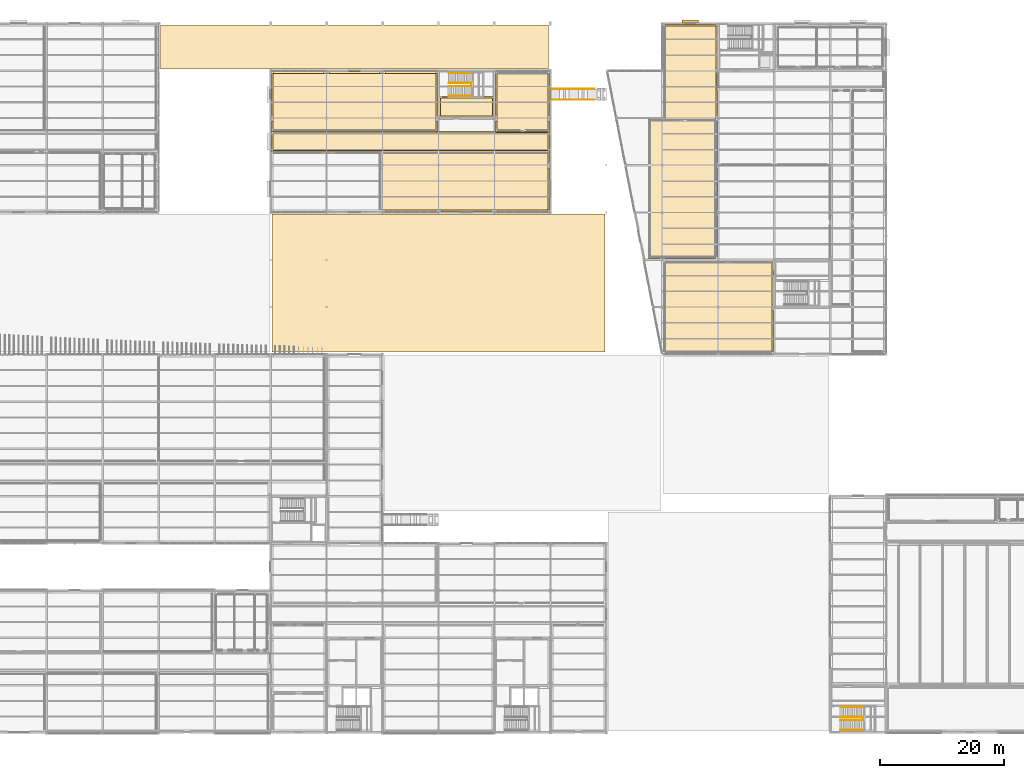
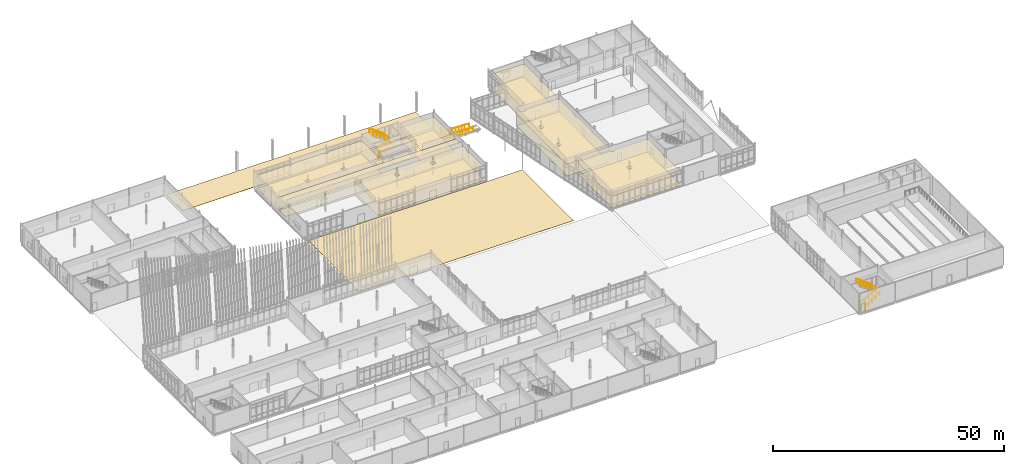
# One storey, part 158 of 161: 18 coverings, 8 railings, 1 shading device, 1 element without a shape of its own.
"""IFC4 building model written with IfcOpenShell, lengths in metres."""

from ifc_helpers import new_model, si_unit, direction, frame, origin, origin_2d, place, context, subcontext, project, spatial, polyline, rectangle, circle, outline, extrude, material, layer, layer_set, type_object, element, aggregate, save


model = new_model("IFC4")

# Units and contexts
model_context = context("Model", 3, precision=1e-05, world=origin(), true_north=direction((0.0, 1.0)))
body_context = subcontext(model_context, "Body", "Model", "MODEL_VIEW")
ifc_project = project(units=[si_unit("LENGTHUNIT", "METRE"), si_unit("AREAUNIT", "SQUARE_METRE"), si_unit("VOLUMEUNIT", "CUBIC_METRE"), si_unit("PLANEANGLEUNIT", "RADIAN"), si_unit("MASSUNIT", "GRAM", prefix="KILO")], contexts=[model_context])

# Site, building, storey
site_placement = place(None, origin())
site = spatial("IfcSite", under=ifc_project, at=site_placement, CompositionType="ELEMENT")
building_placement = place(site_placement, origin())
building = spatial("IfcBuilding", under=site, at=building_placement, Name="Caisbarro Railhouse Central Library", CompositionType="ELEMENT")
storey_placement = place(building_placement, origin())
storey = spatial("IfcBuildingStorey", under=building, at=storey_placement, Name="L00", CompositionType="ELEMENT", Elevation=0.0)

# Coverings
ifc_material_1 = material(Name="Perforated mineral-fibre acoustic ceiling tile")
ifc_layer_1 = layer(ifc_material_1, 0.01806640625, Name="Perforated mineral-fibre acoustic ceiling tile")
ifc_layer_set_1 = layer_set([ifc_layer_1], Name="Perforated mineral-fibre acoustic ceiling tile")
covering_type_1 = type_object("IfcCoveringType", Name="COV-CL01", PredefinedType="CEILING", material=ifc_layer_set_1)
covering_1_placement = place(storey_placement, frame((0.0, 0.0, 3.25)))
element("IfcCovering", 1, at=covering_1_placement, inside=storey, type_object=covering_type_1, Name="CL01 acoustic ceiling Stair Lobby K5", PredefinedType="CEILING", context=body_context, shape_type="SweptSolid", body=[
    extrude(outline(polyline([(89.9599609375, 102.260009765625), (89.9599609375, 99.239990234375), (89.56005859375, 99.239990234375), (89.56005859375, 98.889892578125), (81.43994140625, 98.889892578125), (81.43994140625, 99.239990234375), (81.0400390625, 99.239990234375), (81.0400390625, 102.260009765625), (89.9599609375, 102.260009765625)])), origin(), (0.0, 0.0, 1.0), 0.01806640625),
])
covering_2_placement = place(storey_placement, frame((0.0, 0.0, 3.25)))
element("IfcCovering", 2, at=covering_2_placement, inside=storey, type_object=covering_type_1, Name="CL01 acoustic ceiling North Pavilion Corridor", PredefinedType="CEILING", context=body_context, shape_type="SweptSolid", body=[
    extrude(outline(polyline([(54.139892578125, 93.340087890625), (54.139892578125, 96.659912109375), (98.860107421875, 96.659912109375), (98.860107421875, 93.340087890625), (54.139892578125, 93.340087890625)])), origin(), (0.0, 0.0, 1.0), 0.01806640625),
])
covering_3_placement = place(storey_placement, frame((0.0, 0.0, 3.25)))
element("IfcCovering", 3, at=covering_3_placement, inside=storey, type_object=covering_type_1, Name="CL01 acoustic ceiling Digital Maker Studio", PredefinedType="CEILING", context=body_context, shape_type="SweptSolid", body=[
    extrude(outline(polyline([(62.56005859375, 106.260009765625), (62.56005859375, 105.9599609375), (63.43994140625, 105.9599609375), (63.43994140625, 106.260009765625), (71.56005859375, 106.260009765625), (71.56005859375, 105.9599609375), (72.43994140625, 105.9599609375), (72.43994140625, 106.260009765625), (80.56005859375, 106.260009765625), (80.56005859375, 105.9599609375), (80.860107421875, 105.9599609375), (80.860107421875, 99.239990234375), (80.56005859375, 99.239990234375), (80.56005859375, 98.360107421875), (80.860107421875, 98.360107421875), (80.860107421875, 96.5400390625), (54.139892578125, 96.5400390625), (54.139892578125, 98.360107421875), (54.43994140625, 98.360107421875), (54.43994140625, 99.239990234375), (54.139892578125, 99.239990234375), (54.139892578125, 105.9599609375), (54.43994140625, 105.9599609375), (54.43994140625, 106.260009765625), (62.56005859375, 106.260009765625)]), holes=[polyline([(62.56005859375, 99.239990234375), (62.56005859375, 98.360107421875), (63.43994140625, 98.360107421875), (63.43994140625, 99.239990234375), (62.56005859375, 99.239990234375)]), polyline([(72.43994140625, 98.360107421875), (72.43994140625, 99.239990234375), (71.56005859375, 99.239990234375), (71.56005859375, 98.360107421875), (72.43994140625, 98.360107421875)])]), origin(), (0.0, 0.0, 1.0), 0.01806640625),
])
covering_4_placement = place(storey_placement, frame((0.0, 0.0, 3.25)))
element("IfcCovering", 4, at=covering_4_placement, inside=storey, type_object=covering_type_1, Name="CL01 acoustic ceiling Community Meeting Room", PredefinedType="CEILING", context=body_context, shape_type="SweptSolid", body=[
    extrude(outline(polyline([(90.139892578125, 99.239990234375), (90.139892578125, 105.9599609375), (90.43994140625, 105.9599609375), (90.43994140625, 106.260009765625), (98.56005859375, 106.260009765625), (98.56005859375, 105.9599609375), (98.860107421875, 105.9599609375), (98.860107421875, 99.239990234375), (98.56005859375, 99.239990234375), (98.56005859375, 98.360107421875), (98.860107421875, 98.360107421875), (98.860107421875, 96.5400390625), (90.139892578125, 96.5400390625), (90.139892578125, 98.360107421875), (90.43994140625, 98.360107421875), (90.43994140625, 99.239990234375), (90.139892578125, 99.239990234375)])), origin(), (0.0, 0.0, 1.0), 0.01806640625),
])
covering_5_placement = place(storey_placement, frame((0.0, 0.0, 3.25)))
element("IfcCovering", 5, at=covering_5_placement, inside=storey, type_object=covering_type_1, Name="CL01 acoustic ceiling Reference and Research Desk Hall", PredefinedType="CEILING", context=body_context, shape_type="SweptSolid", body=[
    extrude(outline(polyline([(117.43994140625, 61.239990234375), (117.139892578125, 61.239990234375), (117.139892578125, 67.9599609375), (117.43994140625, 67.9599609375), (117.43994140625, 68.840087890625), (117.139892578125, 68.840087890625), (117.139892578125, 75.56005859375), (117.43994140625, 75.56005859375), (117.43994140625, 75.860107421875), (125.56005859375, 75.860107421875), (125.56005859375, 75.56005859375), (126.43994140625, 75.56005859375), (126.43994140625, 75.860107421875), (134.56005859375, 75.860107421875), (134.56005859375, 75.56005859375), (134.860107421875, 75.56005859375), (134.860107421875, 68.840087890625), (134.56005859375, 68.840087890625), (134.56005859375, 67.9599609375), (134.860107421875, 67.9599609375), (134.860107421875, 61.239990234375), (134.56005859375, 61.239990234375), (134.56005859375, 60.93994140625), (126.43994140625, 60.93994140625), (126.43994140625, 61.239990234375), (125.56005859375, 61.239990234375), (125.56005859375, 60.93994140625), (117.43994140625, 60.93994140625), (117.43994140625, 61.239990234375)]), holes=[polyline([(126.43994140625, 68.840087890625), (125.56005859375, 68.840087890625), (125.56005859375, 67.9599609375), (126.43994140625, 67.9599609375), (126.43994140625, 68.840087890625)])]), origin(), (0.0, 0.0, 1.0), 0.01806640625),
])
covering_6_placement = place(storey_placement, frame((0.0, 0.0, 3.25)))
element("IfcCovering", 6, at=covering_6_placement, inside=storey, type_object=covering_type_1, Name="CL01 acoustic ceiling Group Study Seminar Suite L00", PredefinedType="CEILING", context=body_context, shape_type="SweptSolid", body=[
    extrude(outline(polyline([(117.139892578125, 99.239990234375), (117.139892578125, 105.9599609375), (117.43994140625, 105.9599609375), (117.43994140625, 106.840087890625), (117.139892578125, 106.840087890625), (117.139892578125, 113.56005859375), (117.43994140625, 113.56005859375), (117.43994140625, 113.860107421875), (125.56005859375, 113.860107421875), (125.56005859375, 113.56005859375), (125.860107421875, 113.56005859375), (125.860107421875, 106.840087890625), (125.56005859375, 106.840087890625), (125.56005859375, 105.9599609375), (125.860107421875, 105.9599609375), (125.860107421875, 99.239990234375), (125.56005859375, 99.239990234375), (125.56005859375, 98.5400390625), (117.43994140625, 98.5400390625), (117.43994140625, 99.239990234375), (117.139892578125, 99.239990234375)])), origin(), (0.0, 0.0, 1.0), 0.01806640625),
])
ifc_material_2 = material(Name="Slatted acoustic timber baffle ceiling", Category="wood")
ifc_layer_2 = layer(ifc_material_2, 0.031982421875, Name="Slatted acoustic timber baffle ceiling")
ifc_layer_set_2 = layer_set([ifc_layer_2], Name="Slatted acoustic timber baffle ceiling")
covering_type_2 = type_object("IfcCoveringType", Name="COV-CL02", PredefinedType="CEILING", material=ifc_layer_set_2)
covering_7_placement = place(storey_placement, frame((0.0, 0.0, 3.25)))
element("IfcCovering", 7, at=covering_7_placement, inside=storey, type_object=covering_type_2, Name="CL02 acoustic ceiling Civic Lecture Hall", PredefinedType="CEILING", context=body_context, shape_type="SweptSolid", body=[
    extrude(outline(polyline([(72.43994140625, 83.739990234375), (72.43994140625, 84.0400390625), (71.739990234375, 84.0400390625), (71.739990234375, 90.760009765625), (72.43994140625, 90.760009765625), (72.43994140625, 91.639892578125), (71.739990234375, 91.639892578125), (71.739990234375, 93.4599609375), (98.860107421875, 93.4599609375), (98.860107421875, 91.639892578125), (98.56005859375, 91.639892578125), (98.56005859375, 90.760009765625), (98.860107421875, 90.760009765625), (98.860107421875, 84.0400390625), (98.56005859375, 84.0400390625), (98.56005859375, 83.739990234375), (90.43994140625, 83.739990234375), (90.43994140625, 84.0400390625), (89.56005859375, 84.0400390625), (89.56005859375, 83.739990234375), (81.43994140625, 83.739990234375), (81.43994140625, 84.0400390625), (80.56005859375, 84.0400390625), (80.56005859375, 83.739990234375), (72.43994140625, 83.739990234375)]), holes=[polyline([(81.43994140625, 91.639892578125), (80.56005859375, 91.639892578125), (80.56005859375, 90.760009765625), (81.43994140625, 90.760009765625), (81.43994140625, 91.639892578125)]), polyline([(89.56005859375, 90.760009765625), (90.43994140625, 90.760009765625), (90.43994140625, 91.639892578125), (89.56005859375, 91.639892578125), (89.56005859375, 90.760009765625)])]), origin(), (0.0, 0.0, 1.0), 0.031982421875),
])
covering_8_placement = place(storey_placement, frame((0.0, 0.0, 3.25)))
element("IfcCovering", 8, at=covering_8_placement, inside=storey, type_object=covering_type_2, Name="CL02 acoustic ceiling Pernambuco Local History Reading Room", PredefinedType="CEILING", context=body_context, shape_type="SweptSolid", body=[
    extrude(outline(polyline([(114.739990234375, 76.139892578125), (114.739990234375, 98.659912109375), (116.56005859375, 98.659912109375), (116.56005859375, 98.360107421875), (117.43994140625, 98.360107421875), (117.43994140625, 98.659912109375), (125.56005859375, 98.659912109375), (125.56005859375, 98.360107421875), (125.860107421875, 98.360107421875), (125.860107421875, 91.639892578125), (125.56005859375, 91.639892578125), (125.56005859375, 90.760009765625), (125.860107421875, 90.760009765625), (125.860107421875, 84.0400390625), (125.56005859375, 84.0400390625), (125.56005859375, 83.159912109375), (125.860107421875, 83.159912109375), (125.860107421875, 76.43994140625), (125.56005859375, 76.43994140625), (125.56005859375, 76.139892578125), (117.43994140625, 76.139892578125), (117.43994140625, 76.43994140625), (116.56005859375, 76.43994140625), (116.56005859375, 76.139892578125), (114.739990234375, 76.139892578125)]), holes=[polyline([(116.56005859375, 83.159912109375), (117.43994140625, 83.159912109375), (117.43994140625, 84.0400390625), (116.56005859375, 84.0400390625), (116.56005859375, 83.159912109375)]), polyline([(116.56005859375, 91.639892578125), (116.56005859375, 90.760009765625), (117.43994140625, 90.760009765625), (117.43994140625, 91.639892578125), (116.56005859375, 91.639892578125)])]), origin(), (0.0, 0.0, 1.0), 0.031982421875),
])
ifc_material_3 = material(Name="Polished cementitious terrazzo flooring")
ifc_layer_3 = layer(ifc_material_3, 0.02197265625, Name="Polished cementitious terrazzo flooring")
ifc_layer_set_3 = layer_set([ifc_layer_3], Name="Polished cementitious terrazzo flooring")
covering_type_3 = type_object("IfcCoveringType", Name="COV-FL01", PredefinedType="FLOORING", material=ifc_layer_set_3)
covering_9_placement = place(storey_placement, origin())
element("IfcCovering", 9, at=covering_9_placement, inside=storey, type_object=covering_type_3, Name="FL01 flooring Stair Lobby K5", PredefinedType="FLOORING", context=body_context, shape_type="SweptSolid", body=[
    extrude(outline(polyline([(81.300048828125, 99.14990234375), (89.699951171875, 99.14990234375), (89.699951171875, 102.0), (81.300048828125, 102.0), (81.300048828125, 99.14990234375)])), origin(), (0.0, 0.0, 1.0), 0.02197265625),
])
covering_10_placement = place(storey_placement, origin())
element("IfcCovering", 10, at=covering_10_placement, inside=storey, type_object=covering_type_3, Name="FL01 flooring North Pavilion Corridor", PredefinedType="FLOORING", context=body_context, shape_type="SweptSolid", body=[
    extrude(outline(polyline([(54.39990234375, 93.60009765625), (98.60009765625, 93.60009765625), (98.60009765625, 96.39990234375), (54.39990234375, 96.39990234375), (54.39990234375, 93.60009765625)])), origin(), (0.0, 0.0, 1.0), 0.02197265625),
])
covering_11_placement = place(storey_placement, origin())
element("IfcCovering", 11, at=covering_11_placement, inside=storey, type_object=covering_type_3, Name="FL01 flooring Civic Lecture Hall", PredefinedType="FLOORING", context=body_context, shape_type="SweptSolid", body=[
    extrude(outline(polyline([(72.0, 84.0), (98.60009765625, 84.0), (98.60009765625, 93.199951171875), (72.0, 93.199951171875), (72.0, 84.0)])), origin(), (0.0, 0.0, 1.0), 0.02197265625),
])
covering_12_placement = place(storey_placement, origin())
element("IfcCovering", 12, at=covering_12_placement, inside=storey, type_object=covering_type_3, Name="FL01 flooring Reference and Research Desk Hall", PredefinedType="FLOORING", context=body_context, shape_type="SweptSolid", body=[
    extrude(outline(polyline([(117.39990234375, 61.199951171875), (134.60009765625, 61.199951171875), (134.60009765625, 75.60009765625), (117.39990234375, 75.60009765625), (117.39990234375, 61.199951171875)])), origin(), (0.0, 0.0, 1.0), 0.02197265625),
])
ifc_material_4 = material(Name="Heavy-duty acoustic linoleum flooring")
ifc_layer_4 = layer(ifc_material_4, 0.011962890625, Name="Heavy-duty acoustic linoleum flooring")
ifc_layer_set_4 = layer_set([ifc_layer_4], Name="Heavy-duty acoustic linoleum flooring")
covering_type_4 = type_object("IfcCoveringType", Name="COV-FL02", PredefinedType="FLOORING", material=ifc_layer_set_4)
covering_13_placement = place(storey_placement, origin())
element("IfcCovering", 13, at=covering_13_placement, inside=storey, type_object=covering_type_4, Name="FL02 flooring Digital Maker Studio", PredefinedType="FLOORING", context=body_context, shape_type="SweptSolid", body=[
    extrude(outline(polyline([(54.39990234375, 96.800048828125), (80.60009765625, 96.800048828125), (80.60009765625, 106.0), (54.39990234375, 106.0), (54.39990234375, 96.800048828125)])), origin(), (0.0, 0.0, 1.0), 0.011962890625),
])
covering_14_placement = place(storey_placement, origin())
element("IfcCovering", 14, at=covering_14_placement, inside=storey, type_object=covering_type_4, Name="FL02 flooring Community Meeting Room", PredefinedType="FLOORING", context=body_context, shape_type="SweptSolid", body=[
    extrude(outline(polyline([(90.39990234375, 96.800048828125), (98.60009765625, 96.800048828125), (98.60009765625, 106.0), (90.39990234375, 106.0), (90.39990234375, 96.800048828125)])), origin(), (0.0, 0.0, 1.0), 0.011962890625),
])
covering_15_placement = place(storey_placement, origin())
element("IfcCovering", 15, at=covering_15_placement, inside=storey, type_object=covering_type_4, Name="FL02 flooring Pernambuco Local History Reading Room", PredefinedType="FLOORING", context=body_context, shape_type="SweptSolid", body=[
    extrude(outline(polyline([(115.0, 76.39990234375), (125.60009765625, 76.39990234375), (125.60009765625, 98.39990234375), (115.0, 98.39990234375), (115.0, 76.39990234375)])), origin(), (0.0, 0.0, 1.0), 0.011962890625),
])
covering_16_placement = place(storey_placement, origin())
element("IfcCovering", 16, at=covering_16_placement, inside=storey, type_object=covering_type_4, Name="FL02 flooring Group Study Seminar Suite L00", PredefinedType="FLOORING", context=body_context, shape_type="SweptSolid", body=[
    extrude(outline(polyline([(117.39990234375, 98.800048828125), (125.60009765625, 98.800048828125), (125.60009765625, 113.60009765625), (117.39990234375, 113.60009765625), (117.39990234375, 98.800048828125)])), origin(), (0.0, 0.0, 1.0), 0.011962890625),
])
ifc_material_5 = material(Name="Permeable light-grey granite courtyard paving", Category="masonry")
ifc_layer_5 = layer(ifc_material_5, 0.050048828125, Name="Permeable light-grey granite courtyard paving")
ifc_layer_set_5 = layer_set([ifc_layer_5], Name="Permeable light-grey granite courtyard paving")
covering_type_5 = type_object("IfcCoveringType", Name="COV-PAV01", PredefinedType="USERDEFINED", material=ifc_layer_set_5)
covering_17_placement = place(storey_placement, frame((0.0, 0.0, -0.050048828125)))
element("IfcCovering", 17, at=covering_17_placement, inside=storey, type_object=covering_type_5, Name="PV01 Courtyard Granite Paving PV-COURT-C", ObjectType="PAVING", PredefinedType="USERDEFINED", context=body_context, shape_type="SweptSolid", body=[
    extrude(outline(polyline([(54.199951171875, 61.14990234375), (107.800048828125, 61.14990234375), (107.800048828125, 83.35009765625), (54.199951171875, 83.35009765625), (54.199951171875, 61.14990234375)])), origin(), (0.0, 0.0, 1.0), 0.050048828125),
])
covering_18_placement = place(storey_placement, frame((0.0, 0.0, -0.050048828125)))
element("IfcCovering", 18, at=covering_18_placement, inside=storey, type_object=covering_type_5, Name="PV01 Courtyard Granite Paving PV-COLON-N", ObjectType="PAVING", PredefinedType="USERDEFINED", context=body_context, shape_type="SweptSolid", body=[
    extrude(outline(polyline([(36.300048828125, 106.699951171875), (98.699951171875, 106.699951171875), (98.699951171875, 113.800048828125), (36.300048828125, 113.800048828125), (36.300048828125, 106.699951171875)])), origin(), (0.0, 0.0, 1.0), 0.050048828125),
])

# Ramp, railings
ifc_material_6 = material(Name="Concrete C35", Category="concrete")
ramp_type = type_object("IfcRampType", Name="RMP-ACC01", PredefinedType="STRAIGHT_RUN_RAMP", material=ifc_material_6)
ramp_placement = place(storey_placement, origin())
ramp = element("IfcRamp", 19, at=ramp_placement, inside=storey, type_object=ramp_type, Name="RP01 Accessible Entrance Ramp 2", PredefinedType="STRAIGHT_RUN_RAMP")
ifc_material_7 = material(Name="Brushed stainless steel Grade 316", Category="steel")
railing_type_1 = type_object("IfcRailingType", Name="RLG-RMP092", PredefinedType="HANDRAIL", material=ifc_material_7)
railing_1_placement = place(storey_placement, frame((106.1201171875, 101.75, -0.330078125)))
railing_1 = element("IfcRailing", 20, at=railing_1_placement, type_object=railing_type_1, Name="Ramp 2 Handrail S", PredefinedType="HANDRAIL", context=body_context, shape_type="SweptSolid", body=[
    extrude(circle(Radius=0.02392578125, at=origin_2d()), frame((0.0, 0.0, 0.89599609375), z_axis=(-0.996781339262, 0.0, 0.08016833352), x_axis=(0.0, -1.0, 0.0)), (0.0, 0.0, 1.0), 1.123779296875),
    extrude(circle(Radius=0.02392578125, at=origin_2d()), frame((-1.1201171875, 0.0, 0.98583984375), z_axis=(-1.0, 0.0, 0.0), x_axis=(0.0, -1.0, 0.0)), (0.0, 0.0, 1.0), 1.5),
    extrude(circle(Radius=0.02392578125, at=origin_2d()), frame((-2.6201171875, 0.0, 0.98583984375), z_axis=(-0.996821981406, 0.0, 0.079661392069), x_axis=(0.0, -1.0, 0.0)), (0.0, 0.0, 1.0), 1.5048828125),
    extrude(circle(Radius=0.02392578125, at=origin_2d()), frame((-4.1201171875, 0.0, 1.10595703125), z_axis=(-1.0, 0.0, 0.0), x_axis=(0.0, -1.0, 0.0)), (0.0, 0.0, 1.0), 1.5),
    extrude(circle(Radius=0.02392578125, at=origin_2d()), frame((-5.6201171875, 0.0, 1.10595703125), z_axis=(-0.996586144052, 0.0, 0.082559417894), x_axis=(0.0, -1.0, 0.0)), (0.0, 0.0, 1.0), 1.454833984375),
    extrude(circle(Radius=0.02099609375, at=origin_2d()), origin(), (0.0, 0.0, 1.0), 0.871826171875),
    extrude(circle(Radius=0.02099609375, at=origin_2d()), frame((-1.1201171875, 0.0, 0.090087890625)), (0.0, 0.0, 1.0), 0.871826171875),
    extrude(circle(Radius=0.02099609375, at=origin_2d()), frame((-1.8701171875, 0.0, 0.090087890625)), (0.0, 0.0, 1.0), 0.871826171875),
    extrude(circle(Radius=0.02099609375, at=origin_2d()), frame((-2.6201171875, 0.0, 0.090087890625)), (0.0, 0.0, 1.0), 0.871826171875),
    extrude(circle(Radius=0.02099609375, at=origin_2d()), frame((-3.3701171875, 0.0, 0.14990234375)), (0.0, 0.0, 1.0), 0.871826171875),
    extrude(circle(Radius=0.02099609375, at=origin_2d()), frame((-4.1201171875, 0.0, 0.2099609375)), (0.0, 0.0, 1.0), 0.871826171875),
    extrude(circle(Radius=0.02099609375, at=origin_2d()), frame((-4.8701171875, 0.0, 0.2099609375)), (0.0, 0.0, 1.0), 0.871826171875),
    extrude(circle(Radius=0.02099609375, at=origin_2d()), frame((-5.6201171875, 0.0, 0.2099609375)), (0.0, 0.0, 1.0), 0.871826171875),
    extrude(circle(Radius=0.02099609375, at=origin_2d()), frame((-6.34521484375, 0.0, 0.27001953125)), (0.0, 0.0, 1.0), 0.871826171875),
    extrude(circle(Radius=0.02099609375, at=origin_2d()), frame((-7.070068359375, 0.0, 0.330078125)), (0.0, 0.0, 1.0), 0.871826171875),
])
railing_2_placement = place(storey_placement, frame((106.1201171875, 103.449951171875, -0.330078125)))
railing_2 = element("IfcRailing", 21, at=railing_2_placement, type_object=railing_type_1, Name="Ramp 2 Handrail N", PredefinedType="HANDRAIL", context=body_context, shape_type="SweptSolid", body=[
    extrude(circle(Radius=0.02392578125, at=origin_2d()), frame((0.0, 0.0, 0.89599609375), z_axis=(-0.996781339262, 0.0, 0.08016833352), x_axis=(0.0, -1.0, 0.0)), (0.0, 0.0, 1.0), 1.123779296875),
    extrude(circle(Radius=0.02392578125, at=origin_2d()), frame((-1.1201171875, 0.0, 0.98583984375), z_axis=(-1.0, 0.0, 0.0), x_axis=(0.0, -1.0, 0.0)), (0.0, 0.0, 1.0), 1.5),
    extrude(circle(Radius=0.02392578125, at=origin_2d()), frame((-2.6201171875, 0.0, 0.98583984375), z_axis=(-0.996821981406, 0.0, 0.079661392069), x_axis=(0.0, -1.0, 0.0)), (0.0, 0.0, 1.0), 1.5048828125),
    extrude(circle(Radius=0.02392578125, at=origin_2d()), frame((-4.1201171875, 0.0, 1.10595703125), z_axis=(-1.0, 0.0, 0.0), x_axis=(0.0, -1.0, 0.0)), (0.0, 0.0, 1.0), 1.5),
    extrude(circle(Radius=0.02392578125, at=origin_2d()), frame((-5.6201171875, 0.0, 1.10595703125), z_axis=(-0.996586144052, 0.0, 0.082559417894), x_axis=(0.0, -1.0, 0.0)), (0.0, 0.0, 1.0), 1.454833984375),
    extrude(circle(Radius=0.02099609375, at=origin_2d()), origin(), (0.0, 0.0, 1.0), 0.871826171875),
    extrude(circle(Radius=0.02099609375, at=origin_2d()), frame((-1.1201171875, 0.0, 0.090087890625)), (0.0, 0.0, 1.0), 0.871826171875),
    extrude(circle(Radius=0.02099609375, at=origin_2d()), frame((-1.8701171875, 0.0, 0.090087890625)), (0.0, 0.0, 1.0), 0.871826171875),
    extrude(circle(Radius=0.02099609375, at=origin_2d()), frame((-2.6201171875, 0.0, 0.090087890625)), (0.0, 0.0, 1.0), 0.871826171875),
    extrude(circle(Radius=0.02099609375, at=origin_2d()), frame((-3.3701171875, 0.0, 0.14990234375)), (0.0, 0.0, 1.0), 0.871826171875),
    extrude(circle(Radius=0.02099609375, at=origin_2d()), frame((-4.1201171875, 0.0, 0.2099609375)), (0.0, 0.0, 1.0), 0.871826171875),
    extrude(circle(Radius=0.02099609375, at=origin_2d()), frame((-4.8701171875, 0.0, 0.2099609375)), (0.0, 0.0, 1.0), 0.871826171875),
    extrude(circle(Radius=0.02099609375, at=origin_2d()), frame((-5.6201171875, 0.0, 0.2099609375)), (0.0, 0.0, 1.0), 0.871826171875),
    extrude(circle(Radius=0.02099609375, at=origin_2d()), frame((-6.34521484375, 0.0, 0.27001953125)), (0.0, 0.0, 1.0), 0.871826171875),
    extrude(circle(Radius=0.02099609375, at=origin_2d()), frame((-7.070068359375, 0.0, 0.330078125)), (0.0, 0.0, 1.0), 0.871826171875),
])
aggregate(ramp, [railing_1, railing_2])

# Railings
railing_type_2 = type_object("IfcRailingType", Name="RLG-STR092", PredefinedType="HANDRAIL", material=ifc_material_7)
railing_3_placement = place(storey_placement, frame((82.64990234375, 102.340087890625, 0.0)))
element("IfcRailing", 22, at=railing_3_placement, inside=storey, type_object=railing_type_2, Name="Stair ST-05 Outer Handrail F1 L00", PredefinedType="HANDRAIL", context=body_context, shape_type="SweptSolid", body=[
    extrude(circle(Radius=0.02392578125, at=origin_2d()), frame((0.0, 0.0, 0.89599609375), z_axis=(0.824379387844, 0.0, 0.566037653251), x_axis=(0.0, 1.0, 0.0)), (0.0, 0.0, 1.0), 4.4521484375),
    extrude(circle(Radius=0.02099609375, at=origin_2d()), origin(), (0.0, 0.0, 1.0), 0.871826171875),
    extrude(circle(Radius=0.02099609375, at=origin_2d()), frame((0.91748046875, 0.0, 0.6298828125)), (0.0, 0.0, 1.0), 0.871826171875),
    extrude(circle(Radius=0.02099609375, at=origin_2d()), frame((1.8349609375, 0.0, 1.260009765625)), (0.0, 0.0, 1.0), 0.871826171875),
    extrude(circle(Radius=0.02099609375, at=origin_2d()), frame((2.752685546875, 0.0, 1.89013671875)), (0.0, 0.0, 1.0), 0.871826171875),
    extrude(circle(Radius=0.02099609375, at=origin_2d()), frame((3.670166015625, 0.0, 2.52001953125)), (0.0, 0.0, 1.0), 0.871826171875),
])
railing_4_placement = place(storey_placement, frame((86.320068359375, 106.010009765625, 2.52001953125)))
element("IfcRailing", 23, at=railing_4_placement, inside=storey, type_object=railing_type_2, Name="Stair ST-05 Outer Handrail F2 L00", PredefinedType="HANDRAIL", context=body_context, shape_type="SweptSolid", body=[
    extrude(circle(Radius=0.02392578125, at=origin_2d()), frame((0.0, 0.0, 0.89599609375), z_axis=(-0.824379387844, 0.0, 0.566037653251), x_axis=(0.0, -1.0, 0.0)), (0.0, 0.0, 1.0), 4.4521484375),
    extrude(circle(Radius=0.02099609375, at=origin_2d()), origin(), (0.0, 0.0, 1.0), 0.871826171875),
    extrude(circle(Radius=0.02099609375, at=origin_2d()), frame((-0.91748046875, 0.0, 0.6298828125)), (0.0, 0.0, 1.0), 0.871826171875),
    extrude(circle(Radius=0.02099609375, at=origin_2d()), frame((-1.8349609375, 0.0, 1.260009765625)), (0.0, 0.0, 1.0), 0.871826171875),
    extrude(circle(Radius=0.02099609375, at=origin_2d()), frame((-2.752685546875, 0.0, 1.89013671875)), (0.0, 0.0, 1.0), 0.871826171875),
    extrude(circle(Radius=0.02099609375, at=origin_2d()), frame((-3.670166015625, 0.0, 2.52001953125)), (0.0, 0.0, 1.0), 0.871826171875),
])
railing_5_placement = place(storey_placement, frame((145.64990234375, 0.389892578125, 0.0)))
element("IfcRailing", 24, at=railing_5_placement, inside=storey, type_object=railing_type_2, Name="Stair ST-09 Outer Handrail F1 L00", PredefinedType="HANDRAIL", context=body_context, shape_type="SweptSolid", body=[
    extrude(circle(Radius=0.02392578125, at=origin_2d()), frame((0.0, 0.0, 0.89599609375), z_axis=(0.824379387844, 0.0, 0.566037653251), x_axis=(0.0, 1.0, 0.0)), (0.0, 0.0, 1.0), 4.4521484375),
    extrude(circle(Radius=0.02099609375, at=origin_2d()), origin(), (0.0, 0.0, 1.0), 0.871826171875),
    extrude(circle(Radius=0.02099609375, at=origin_2d()), frame((0.91748046875, 0.0, 0.6298828125)), (0.0, 0.0, 1.0), 0.871826171875),
    extrude(circle(Radius=0.02099609375, at=origin_2d()), frame((1.8349609375, 0.0, 1.260009765625)), (0.0, 0.0, 1.0), 0.871826171875),
    extrude(circle(Radius=0.02099609375, at=origin_2d()), frame((2.752685546875, 0.0, 1.89013671875)), (0.0, 0.0, 1.0), 0.871826171875),
    extrude(circle(Radius=0.02099609375, at=origin_2d()), frame((3.670166015625, 0.0, 2.52001953125)), (0.0, 0.0, 1.0), 0.871826171875),
])
railing_6_placement = place(storey_placement, frame((149.320068359375, 4.06005859375, 2.52001953125)))
element("IfcRailing", 25, at=railing_6_placement, inside=storey, type_object=railing_type_2, Name="Stair ST-09 Outer Handrail F2 L00", PredefinedType="HANDRAIL", context=body_context, shape_type="SweptSolid", body=[
    extrude(circle(Radius=0.02392578125, at=origin_2d()), frame((0.0, 0.0, 0.89599609375), z_axis=(-0.824379387844, 0.0, 0.566037653251), x_axis=(0.0, -1.0, 0.0)), (0.0, 0.0, 1.0), 4.4521484375),
    extrude(circle(Radius=0.02099609375, at=origin_2d()), origin(), (0.0, 0.0, 1.0), 0.871826171875),
    extrude(circle(Radius=0.02099609375, at=origin_2d()), frame((-0.91748046875, 0.0, 0.6298828125)), (0.0, 0.0, 1.0), 0.871826171875),
    extrude(circle(Radius=0.02099609375, at=origin_2d()), frame((-1.8349609375, 0.0, 1.260009765625)), (0.0, 0.0, 1.0), 0.871826171875),
    extrude(circle(Radius=0.02099609375, at=origin_2d()), frame((-2.752685546875, 0.0, 1.89013671875)), (0.0, 0.0, 1.0), 0.871826171875),
    extrude(circle(Radius=0.02099609375, at=origin_2d()), frame((-3.670166015625, 0.0, 2.52001953125)), (0.0, 0.0, 1.0), 0.871826171875),
])
railing_type_3 = type_object("IfcRailingType", Name="RLG-STR110", PredefinedType="GUARDRAIL", material=ifc_material_7)
railing_7_placement = place(storey_placement, frame((82.64990234375, 103.919921875, 0.0)))
element("IfcRailing", 26, at=railing_7_placement, inside=storey, type_object=railing_type_3, Name="Stair ST-05 Inner Well Guardrail L00", PredefinedType="GUARDRAIL", context=body_context, shape_type="SweptSolid", body=[
    extrude(circle(Radius=0.02392578125, at=origin_2d()), frame((0.0, 0.0, 1.076171875), z_axis=(0.824379387844, 0.0, 0.566037653251), x_axis=(0.0, 1.0, 0.0)), (0.0, 0.0, 1.0), 4.4521484375),
    extrude(circle(Radius=0.02392578125, at=origin_2d()), frame((3.670166015625, 0.0, 3.59619140625), z_axis=(0.0, 1.0, 0.0), x_axis=(-1.0, 0.0, 0.0)), (0.0, 0.0, 1.0), 0.510009765625),
    extrude(circle(Radius=0.02392578125, at=origin_2d()), frame((3.670166015625, 0.510009765625, 3.59619140625), z_axis=(-0.824379387844, 0.0, 0.566037653251), x_axis=(0.0, -1.0, 0.0)), (0.0, 0.0, 1.0), 4.4521484375),
    extrude(circle(Radius=0.02099609375, at=origin_2d()), origin(), (0.0, 0.0, 1.0), 1.052001953125),
    extrude(circle(Radius=0.02099609375, at=origin_2d()), frame((0.91748046875, 0.0, 0.6298828125)), (0.0, 0.0, 1.0), 1.052001953125),
    extrude(circle(Radius=0.02099609375, at=origin_2d()), frame((1.8349609375, 0.0, 1.260009765625)), (0.0, 0.0, 1.0), 1.052001953125),
    extrude(circle(Radius=0.02099609375, at=origin_2d()), frame((2.752685546875, 0.0, 1.89013671875)), (0.0, 0.0, 1.0), 1.052001953125),
    extrude(circle(Radius=0.02099609375, at=origin_2d()), frame((3.670166015625, 0.0, 2.52001953125)), (0.0, 0.0, 1.0), 1.052001953125),
    extrude(circle(Radius=0.02099609375, at=origin_2d()), frame((3.670166015625, 0.510009765625, 2.52001953125)), (0.0, 0.0, 1.0), 1.052001953125),
    extrude(circle(Radius=0.02099609375, at=origin_2d()), frame((2.752685546875, 0.510009765625, 3.14990234375)), (0.0, 0.0, 1.0), 1.052001953125),
    extrude(circle(Radius=0.02099609375, at=origin_2d()), frame((1.8349609375, 0.510009765625, 3.780029296875)), (0.0, 0.0, 1.0), 1.052001953125),
    extrude(circle(Radius=0.02099609375, at=origin_2d()), frame((0.91748046875, 0.510009765625, 4.41015625)), (0.0, 0.0, 1.0), 1.052001953125),
    extrude(circle(Radius=0.02099609375, at=origin_2d()), frame((0.0, 0.510009765625, 5.0400390625)), (0.0, 0.0, 1.0), 1.052001953125),
])
railing_8_placement = place(storey_placement, frame((145.64990234375, 1.969970703125, 0.0)))
element("IfcRailing", 27, at=railing_8_placement, inside=storey, type_object=railing_type_3, Name="Stair ST-09 Inner Well Guardrail L00", PredefinedType="GUARDRAIL", context=body_context, shape_type="SweptSolid", body=[
    extrude(circle(Radius=0.02392578125, at=origin_2d()), frame((0.0, 0.0, 1.076171875), z_axis=(0.824379387844, 0.0, 0.566037653251), x_axis=(0.0, 1.0, 0.0)), (0.0, 0.0, 1.0), 4.4521484375),
    extrude(circle(Radius=0.02392578125, at=origin_2d()), frame((3.670166015625, 0.0, 3.59619140625), z_axis=(0.0, 1.0, 0.0), x_axis=(-1.0, 0.0, 0.0)), (0.0, 0.0, 1.0), 0.510009765625),
    extrude(circle(Radius=0.02392578125, at=origin_2d()), frame((3.670166015625, 0.510009765625, 3.59619140625), z_axis=(-0.824379387844, 0.0, 0.566037653251), x_axis=(0.0, -1.0, 0.0)), (0.0, 0.0, 1.0), 4.4521484375),
    extrude(circle(Radius=0.02099609375, at=origin_2d()), origin(), (0.0, 0.0, 1.0), 1.052001953125),
    extrude(circle(Radius=0.02099609375, at=origin_2d()), frame((0.91748046875, 0.0, 0.6298828125)), (0.0, 0.0, 1.0), 1.052001953125),
    extrude(circle(Radius=0.02099609375, at=origin_2d()), frame((1.8349609375, 0.0, 1.260009765625)), (0.0, 0.0, 1.0), 1.052001953125),
    extrude(circle(Radius=0.02099609375, at=origin_2d()), frame((2.752685546875, 0.0, 1.89013671875)), (0.0, 0.0, 1.0), 1.052001953125),
    extrude(circle(Radius=0.02099609375, at=origin_2d()), frame((3.670166015625, 0.0, 2.52001953125)), (0.0, 0.0, 1.0), 1.052001953125),
    extrude(circle(Radius=0.02099609375, at=origin_2d()), frame((3.670166015625, 0.510009765625, 2.52001953125)), (0.0, 0.0, 1.0), 1.052001953125),
    extrude(circle(Radius=0.02099609375, at=origin_2d()), frame((2.752685546875, 0.510009765625, 3.14990234375)), (0.0, 0.0, 1.0), 1.052001953125),
    extrude(circle(Radius=0.02099609375, at=origin_2d()), frame((1.8349609375, 0.510009765625, 3.780029296875)), (0.0, 0.0, 1.0), 1.052001953125),
    extrude(circle(Radius=0.02099609375, at=origin_2d()), frame((0.91748046875, 0.510009765625, 4.41015625)), (0.0, 0.0, 1.0), 1.052001953125),
    extrude(circle(Radius=0.02099609375, at=origin_2d()), frame((0.0, 0.510009765625, 5.0400390625)), (0.0, 0.0, 1.0), 1.052001953125),
])

# Shading device
ifc_material_8 = material(Name="Anodised architectural aluminium", Category="aluminium")
ifc_layer_6 = layer(ifc_material_8, 0.050048828125, Name="Anodised architectural aluminium")
ifc_layer_set_6 = layer_set([ifc_layer_6], Name="Anodised architectural aluminium")
shading_device_type = type_object("IfcShadingDeviceType", Name="SHD-JAL01", PredefinedType="JALOUSIE", material=ifc_layer_set_6)
shading_device_placement = place(storey_placement, frame((121.5, 114.330078125, 2.384765625), z_axis=(0.0, 0.0, 1.0), x_axis=(1.0, 0.0, 0.0)))
element("IfcShadingDevice", 28, at=shading_device_placement, inside=storey, type_object=shading_device_type, Name="JL01 solar brise-soleil L00-24", PredefinedType="JALOUSIE", context=body_context, shape_type="SweptSolid", body=[
    extrude(rectangle(XDim=2.60009765625, YDim=0.47998046875, at=origin_2d()), origin(), (0.0, 0.0, 1.0), 0.050048828125),
])

save(model, "model.ifc")
